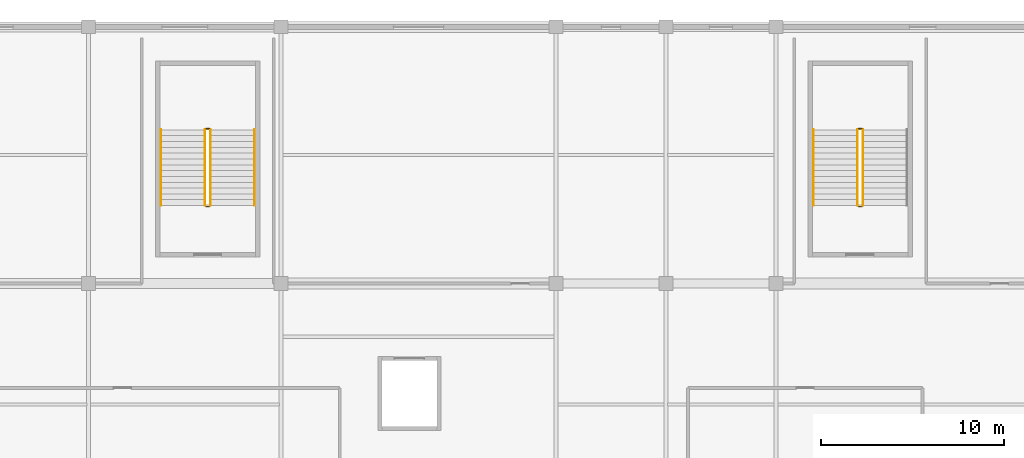
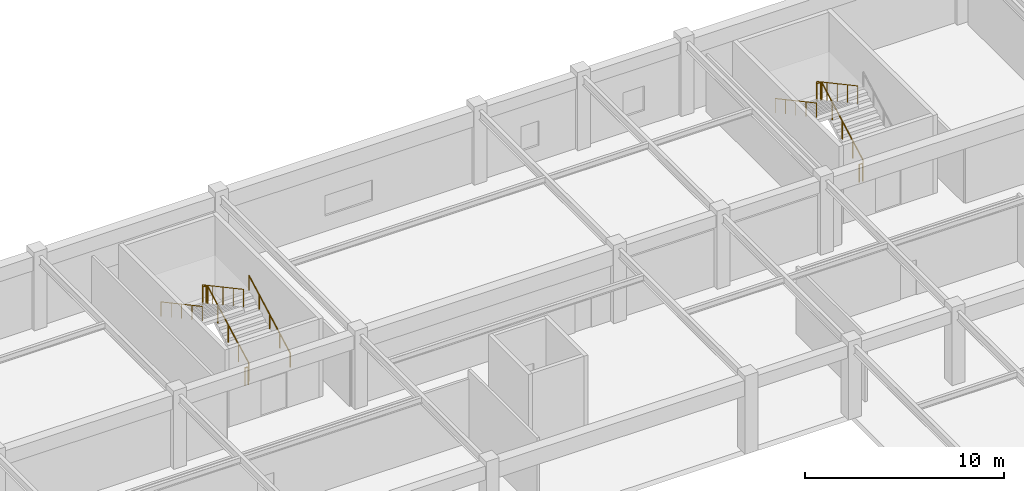
# One storey, part 111 of 112: 11 railings.
"""IFC4 building model written with IfcOpenShell, lengths in metres."""

from ifc_helpers import new_model, si_unit, direction, frame, origin, origin_2d, place, context, subcontext, project, spatial, circle, extrude, material, type_object, element, save


model = new_model("IFC4")

# Units and contexts
model_context = context("Model", 3, precision=1e-05, world=origin(), true_north=direction((0.0, 1.0)))
body_context = subcontext(model_context, "Body", "Model", "MODEL_VIEW")
ifc_project = project(units=[si_unit("LENGTHUNIT", "METRE"), si_unit("AREAUNIT", "SQUARE_METRE"), si_unit("VOLUMEUNIT", "CUBIC_METRE"), si_unit("PLANEANGLEUNIT", "RADIAN"), si_unit("MASSUNIT", "GRAM", prefix="KILO")], contexts=[model_context])

# Site, building, storey
site_placement = place(None, origin())
site = spatial("IfcSite", under=ifc_project, at=site_placement, CompositionType="ELEMENT")
building_placement = place(site_placement, origin())
building = spatial("IfcBuilding", under=site, at=building_placement, Name="Cuetzalor Civic Arena", CompositionType="ELEMENT")
storey_placement = place(building_placement, frame((0.0, 0.0, 11.39990234375)))
storey = spatial("IfcBuildingStorey", under=building, at=storey_placement, Name="L02", CompositionType="ELEMENT", Elevation=11.39990234375)

# Railings
ifc_material_1 = material(Name="Reseda-green architectural Steel S355 balustrade", Category="steel")
railing_type_1 = type_object("IfcRailingType", Name="InteriorVoidBalustrade_1100", PredefinedType="BALUSTRADE", material=ifc_material_1)
railing_1_placement = place(storey_placement, frame((17.14990234375, 65.75, 0.171630859375)))
element("IfcRailing", 1, at=railing_1_placement, inside=storey, type_object=railing_type_1, Name="L02 ST-26 stair guard 1", PredefinedType="BALUSTRADE", context=body_context, shape_type="SweptSolid", body=[
    extrude(circle(Radius=0.02392578125, at=origin_2d()), frame((0.0, 0.0, 1.0810546875), z_axis=(0.0, 0.880248997335, 0.474512068014), x_axis=(-1.0, 0.0, 0.0)), (0.0, 0.0, 1.0), 4.696533203125),
    extrude(circle(Radius=0.02099609375, at=origin_2d()), origin(), (0.0, 0.0, 1.0), 1.056884765625),
    extrude(circle(Radius=0.02099609375, at=origin_2d()), frame((0.0, 1.033447265625, 0.55712890625)), (0.0, 0.0, 1.0), 1.056884765625),
    extrude(circle(Radius=0.02099609375, at=origin_2d()), frame((0.0, 2.06689453125, 1.1142578125)), (0.0, 0.0, 1.0), 1.056884765625),
    extrude(circle(Radius=0.02099609375, at=origin_2d()), frame((0.0, 3.1005859375, 1.67138671875)), (0.0, 0.0, 1.0), 1.056884765625),
    extrude(circle(Radius=0.02099609375, at=origin_2d()), frame((0.0, 4.134033203125, 2.228515625)), (0.0, 0.0, 1.0), 1.056884765625),
])
railing_2_placement = place(storey_placement, frame((17.10009765625, 69.93408203125, 2.400146484375)))
element("IfcRailing", 2, at=railing_2_placement, inside=storey, type_object=railing_type_1, Name="L02 ST-26 stair guard 2", PredefinedType="BALUSTRADE", context=body_context, shape_type="SweptSolid", body=[
    extrude(circle(Radius=0.02392578125, at=origin_2d()), frame((0.0, 0.0, 1.0810546875), z_axis=(-1.0, 0.0, 0.0), x_axis=(0.0, -1.0, 0.0)), (0.0, 0.0, 1.0), 0.2001953125),
    extrude(circle(Radius=0.02099609375, at=origin_2d()), origin(), (0.0, 0.0, 1.0), 1.056884765625),
    extrude(circle(Radius=0.02099609375, at=origin_2d()), frame((-0.2001953125, 0.0, 0.0)), (0.0, 0.0, 1.0), 1.056884765625),
])
railing_3_placement = place(storey_placement, frame((16.85009765625, 69.884033203125, 2.571533203125)))
element("IfcRailing", 3, at=railing_3_placement, inside=storey, type_object=railing_type_1, Name="L02 ST-26 stair guard 3", PredefinedType="BALUSTRADE", context=body_context, shape_type="SweptSolid", body=[
    extrude(circle(Radius=0.02392578125, at=origin_2d()), frame((0.0, 0.0, 1.0810546875), z_axis=(0.0, -0.880248997335, 0.474512068014), x_axis=(1.0, 0.0, 0.0)), (0.0, 0.0, 1.0), 4.696533203125),
    extrude(circle(Radius=0.02099609375, at=origin_2d()), origin(), (0.0, 0.0, 1.0), 1.056884765625),
    extrude(circle(Radius=0.02099609375, at=origin_2d()), frame((0.0, -1.033447265625, 0.55712890625)), (0.0, 0.0, 1.0), 1.056884765625),
    extrude(circle(Radius=0.02099609375, at=origin_2d()), frame((0.0, -2.06689453125, 1.1142578125)), (0.0, 0.0, 1.0), 1.056884765625),
    extrude(circle(Radius=0.02099609375, at=origin_2d()), frame((0.0, -3.1005859375, 1.67138671875)), (0.0, 0.0, 1.0), 1.056884765625),
    extrude(circle(Radius=0.02099609375, at=origin_2d()), frame((0.0, -4.134033203125, 2.228515625)), (0.0, 0.0, 1.0), 1.056884765625),
])
railing_4_placement = place(storey_placement, frame((17.10009765625, 65.699951171875, 0.0)))
element("IfcRailing", 4, at=railing_4_placement, inside=storey, type_object=railing_type_1, Name="L02 ST-26 stair guard 4", PredefinedType="BALUSTRADE", context=body_context, shape_type="SweptSolid", body=[
    extrude(circle(Radius=0.02392578125, at=origin_2d()), frame((0.0, 0.0, 1.0810546875), z_axis=(-1.0, 0.0, 0.0), x_axis=(0.0, -1.0, 0.0)), (0.0, 0.0, 1.0), 0.2001953125),
    extrude(circle(Radius=0.02099609375, at=origin_2d()), origin(), (0.0, 0.0, 1.0), 1.056884765625),
    extrude(circle(Radius=0.02099609375, at=origin_2d()), frame((-0.2001953125, 0.0, 0.0)), (0.0, 0.0, 1.0), 1.056884765625),
])
railing_5_placement = place(storey_placement, frame((52.75, 65.75, 0.171630859375)))
element("IfcRailing", 5, at=railing_5_placement, inside=storey, type_object=railing_type_1, Name="L02 ST-27 stair guard 1", PredefinedType="BALUSTRADE", context=body_context, shape_type="SweptSolid", body=[
    extrude(circle(Radius=0.02392578125, at=origin_2d()), frame((0.0, 0.0, 1.0810546875), z_axis=(0.0, 0.880248997335, 0.474512068014), x_axis=(-1.0, 0.0, 0.0)), (0.0, 0.0, 1.0), 4.696533203125),
    extrude(circle(Radius=0.02099609375, at=origin_2d()), origin(), (0.0, 0.0, 1.0), 1.056884765625),
    extrude(circle(Radius=0.02099609375, at=origin_2d()), frame((0.0, 1.033447265625, 0.55712890625)), (0.0, 0.0, 1.0), 1.056884765625),
    extrude(circle(Radius=0.02099609375, at=origin_2d()), frame((0.0, 2.06689453125, 1.1142578125)), (0.0, 0.0, 1.0), 1.056884765625),
    extrude(circle(Radius=0.02099609375, at=origin_2d()), frame((0.0, 3.1005859375, 1.67138671875)), (0.0, 0.0, 1.0), 1.056884765625),
    extrude(circle(Radius=0.02099609375, at=origin_2d()), frame((0.0, 4.134033203125, 2.228515625)), (0.0, 0.0, 1.0), 1.056884765625),
])
railing_6_placement = place(storey_placement, frame((52.699951171875, 69.93408203125, 2.400146484375)))
element("IfcRailing", 6, at=railing_6_placement, inside=storey, type_object=railing_type_1, Name="L02 ST-27 stair guard 2", PredefinedType="BALUSTRADE", context=body_context, shape_type="SweptSolid", body=[
    extrude(circle(Radius=0.02392578125, at=origin_2d()), frame((0.0, 0.0, 1.0810546875), z_axis=(-1.0, 0.0, 0.0), x_axis=(0.0, -1.0, 0.0)), (0.0, 0.0, 1.0), 0.199951171875),
    extrude(circle(Radius=0.02099609375, at=origin_2d()), origin(), (0.0, 0.0, 1.0), 1.056884765625),
    extrude(circle(Radius=0.02099609375, at=origin_2d()), frame((-0.199951171875, 0.0, 0.0)), (0.0, 0.0, 1.0), 1.056884765625),
])
railing_7_placement = place(storey_placement, frame((52.449951171875, 69.884033203125, 2.571533203125)))
element("IfcRailing", 7, at=railing_7_placement, inside=storey, type_object=railing_type_1, Name="L02 ST-27 stair guard 3", PredefinedType="BALUSTRADE", context=body_context, shape_type="SweptSolid", body=[
    extrude(circle(Radius=0.02392578125, at=origin_2d()), frame((0.0, 0.0, 1.0810546875), z_axis=(0.0, -0.880248997335, 0.474512068014), x_axis=(1.0, 0.0, 0.0)), (0.0, 0.0, 1.0), 4.696533203125),
    extrude(circle(Radius=0.02099609375, at=origin_2d()), origin(), (0.0, 0.0, 1.0), 1.056884765625),
    extrude(circle(Radius=0.02099609375, at=origin_2d()), frame((0.0, -1.033447265625, 0.55712890625)), (0.0, 0.0, 1.0), 1.056884765625),
    extrude(circle(Radius=0.02099609375, at=origin_2d()), frame((0.0, -2.06689453125, 1.1142578125)), (0.0, 0.0, 1.0), 1.056884765625),
    extrude(circle(Radius=0.02099609375, at=origin_2d()), frame((0.0, -3.1005859375, 1.67138671875)), (0.0, 0.0, 1.0), 1.056884765625),
    extrude(circle(Radius=0.02099609375, at=origin_2d()), frame((0.0, -4.134033203125, 2.228515625)), (0.0, 0.0, 1.0), 1.056884765625),
])
railing_8_placement = place(storey_placement, frame((52.699951171875, 65.699951171875, 0.0)))
element("IfcRailing", 8, at=railing_8_placement, inside=storey, type_object=railing_type_1, Name="L02 ST-27 stair guard 4", PredefinedType="BALUSTRADE", context=body_context, shape_type="SweptSolid", body=[
    extrude(circle(Radius=0.02392578125, at=origin_2d()), frame((0.0, 0.0, 1.0810546875), z_axis=(-1.0, 0.0, 0.0), x_axis=(0.0, -1.0, 0.0)), (0.0, 0.0, 1.0), 0.199951171875),
    extrude(circle(Radius=0.02099609375, at=origin_2d()), origin(), (0.0, 0.0, 1.0), 1.056884765625),
    extrude(circle(Radius=0.02099609375, at=origin_2d()), frame((-0.199951171875, 0.0, 0.0)), (0.0, 0.0, 1.0), 1.056884765625),
])
ifc_material_2 = material(Name="Galvanised steel S355", Category="steel")
railing_type_2 = type_object("IfcRailingType", Name="StairPitchHandrail_900", PredefinedType="HANDRAIL", material=ifc_material_2)
railing_9_placement = place(storey_placement, frame((19.550048828125, 65.75, 0.171630859375)))
element("IfcRailing", 9, at=railing_9_placement, inside=storey, type_object=railing_type_2, Name="L02 ST-26 stair handrail 1", PredefinedType="HANDRAIL", context=body_context, shape_type="SweptSolid", body=[
    extrude(circle(Radius=0.02392578125, at=origin_2d()), frame((0.0, 0.0, 0.8759765625), z_axis=(0.0, 0.880248997335, 0.474512068014), x_axis=(-1.0, 0.0, 0.0)), (0.0, 0.0, 1.0), 4.696533203125),
    extrude(circle(Radius=0.02099609375, at=origin_2d()), origin(), (0.0, 0.0, 1.0), 0.851806640625),
    extrude(circle(Radius=0.02099609375, at=origin_2d()), frame((0.0, 1.033447265625, 0.55712890625)), (0.0, 0.0, 1.0), 0.851806640625),
    extrude(circle(Radius=0.02099609375, at=origin_2d()), frame((0.0, 2.06689453125, 1.1142578125)), (0.0, 0.0, 1.0), 0.851806640625),
    extrude(circle(Radius=0.02099609375, at=origin_2d()), frame((0.0, 3.1005859375, 1.67138671875)), (0.0, 0.0, 1.0), 0.851806640625),
    extrude(circle(Radius=0.02099609375, at=origin_2d()), frame((0.0, 4.134033203125, 2.228515625)), (0.0, 0.0, 1.0), 0.851806640625),
])
for number, where, name in (
    (10, (14.449951171875, 69.884033203125, 2.571533203125), "L02 ST-26 stair handrail 2"),
    (11, (50.050048828125, 69.884033203125, 2.571533203125), "L02 ST-27 stair handrail 2"),
):
    element("IfcRailing", number, at=place(storey_placement, frame(where)), inside=storey, type_object=railing_type_2, Name=name, PredefinedType="HANDRAIL", context=body_context, shape_type="SweptSolid", body=[
        extrude(circle(Radius=0.02392578125, at=origin_2d()), frame((0.0, 0.0, 0.8759765625), z_axis=(0.0, -0.880248997335, 0.474512068014), x_axis=(1.0, 0.0, 0.0)), (0.0, 0.0, 1.0), 4.696533203125),
        extrude(circle(Radius=0.02099609375, at=origin_2d()), origin(), (0.0, 0.0, 1.0), 0.851806640625),
        extrude(circle(Radius=0.02099609375, at=origin_2d()), frame((0.0, -1.033447265625, 0.55712890625)), (0.0, 0.0, 1.0), 0.851806640625),
        extrude(circle(Radius=0.02099609375, at=origin_2d()), frame((0.0, -2.06689453125, 1.1142578125)), (0.0, 0.0, 1.0), 0.851806640625),
        extrude(circle(Radius=0.02099609375, at=origin_2d()), frame((0.0, -3.1005859375, 1.67138671875)), (0.0, 0.0, 1.0), 0.851806640625),
        extrude(circle(Radius=0.02099609375, at=origin_2d()), frame((0.0, -4.134033203125, 2.228515625)), (0.0, 0.0, 1.0), 0.851806640625),
    ])

save(model, "model.ifc")
